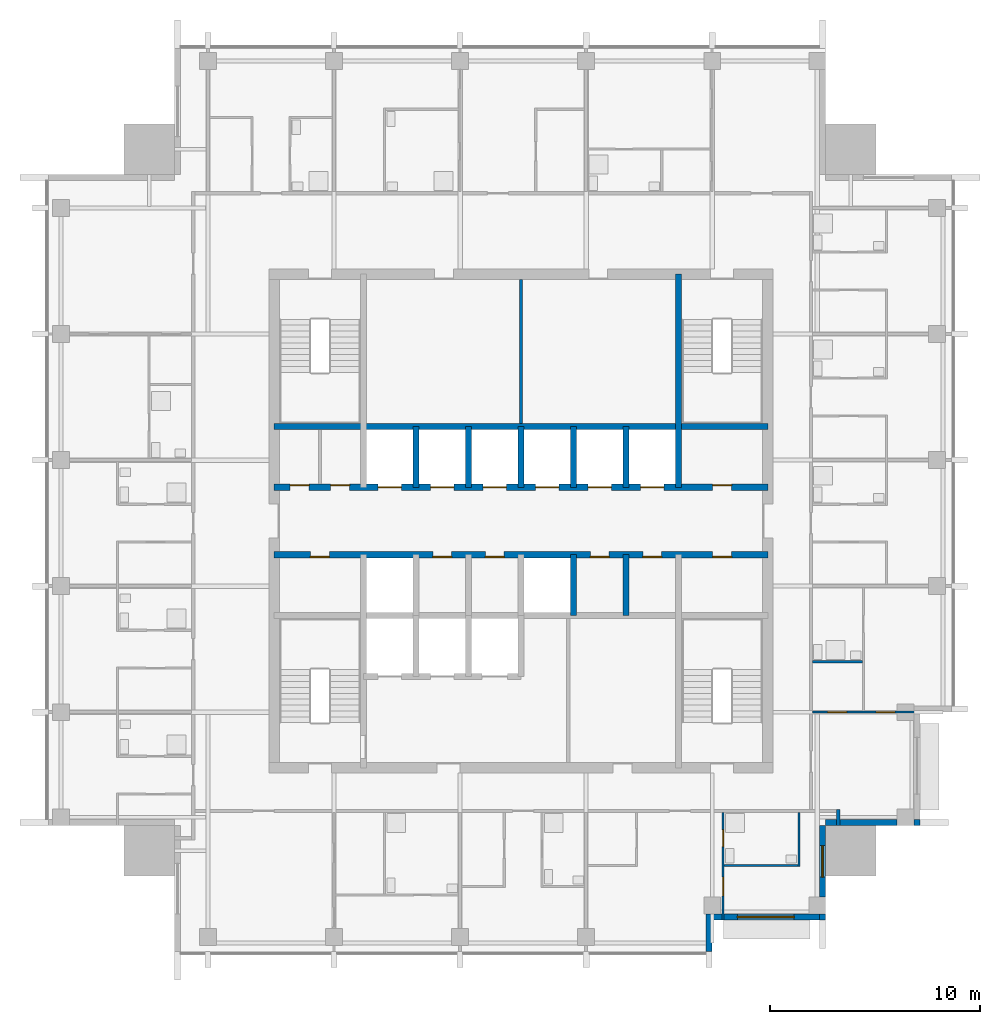
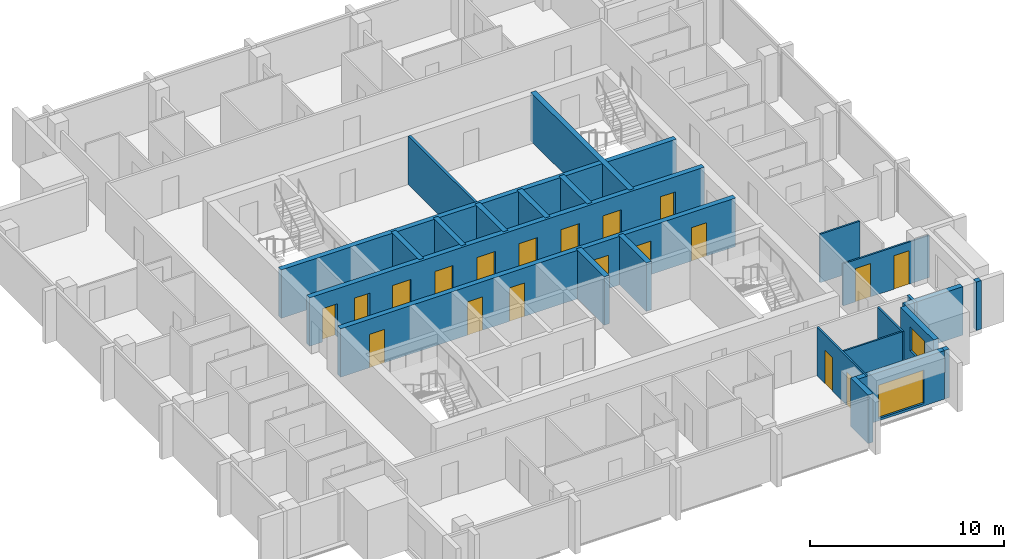
# One storey, part 5 of 9: 24 walls, 19 doors, 2 windows, 21 openings.
"""IFC4 building model written with IfcOpenShell, lengths in metres."""

from ifc_helpers import new_model, si_unit, direction, frame, frame_2d, origin, place, context, subcontext, project, spatial, rectangle, extrude, material, layer, layer_set, type_object, element, fill, save


model = new_model("IFC4")

# Units and contexts
model_context = context("Model", 3, precision=1e-05, world=origin(), true_north=direction((0.0, 1.0)))
body_context = subcontext(model_context, "Body", "Model", "MODEL_VIEW")
ifc_project = project(units=[si_unit("LENGTHUNIT", "METRE"), si_unit("AREAUNIT", "SQUARE_METRE"), si_unit("VOLUMEUNIT", "CUBIC_METRE"), si_unit("PLANEANGLEUNIT", "RADIAN"), si_unit("MASSUNIT", "GRAM", prefix="KILO")], contexts=[model_context])

# Site, building, storey
site_placement = place(None, origin())
site = spatial("IfcSite", under=ifc_project, at=site_placement, CompositionType="ELEMENT")
building_placement = place(site_placement, origin())
building = spatial("IfcBuilding", under=site, at=building_placement, Name="Amberfall Residences", CompositionType="ELEMENT")
storey_placement = place(building_placement, frame((0.0, 0.0, 245.5)))
storey = spatial("IfcBuildingStorey", under=building, at=storey_placement, Name="L65", CompositionType="ELEMENT", Elevation=245.5)

# Walls
ifc_material_1 = material(Name="Pale stone cladding on insulated backing", Category="masonry")
ifc_layer_1 = layer(ifc_material_1, 0.300048828125)
ifc_layer_set_1 = layer_set([ifc_layer_1], Name="Bronze clad wall 300")
wall_type_1 = type_object("IfcWallType", Name="Bronze clad wall 300", PredefinedType="SOLIDWALL", material=ifc_layer_set_1)
wall_1_placement = place(storey_placement, frame((83.449951171875, 25.0, 0.0), z_axis=(0.0, 0.0, 1.0), x_axis=(0.0, 1.0, 0.0)))
element("IfcWall", 1, at=wall_1_placement, inside=storey, type_object=wall_type_1, Name="External wall L65 S", PredefinedType="SOLIDWALL", context=body_context, shape_type="SweptSolid", body=[
    extrude(rectangle(XDim=1.800048828125, YDim=0.300048828125, at=frame_2d((0.89990234375, 0.0))), origin(), (0.0, 0.0, 1.0), 3.050048828125),
])
wall_2_placement = place(storey_placement, frame((88.85009765625, 26.5, 0.0), z_axis=(0.0, 0.0, 1.0), x_axis=(0.0, 1.0, 0.0)))
element("IfcWall", 2, at=wall_2_placement, inside=storey, type_object=wall_type_1, Name="External wall L65 SE", PredefinedType="SOLIDWALL", context=body_context, shape_type="SweptSolid", body=[
    extrude(rectangle(XDim=0.300048828125, YDim=0.300048828125, at=frame_2d((0.14990234375, 0.0))), origin(), (0.0, 0.0, 1.0), 3.050048828125),
])

# Wall, opening, window
wall_3_placement = place(storey_placement, frame((88.85009765625, 27.60009765625, 0.0), z_axis=(0.0, 0.0, 1.0), x_axis=(0.0, 1.0, 0.0)))
wall_3 = element("IfcWall", 3, at=wall_3_placement, inside=storey, type_object=wall_type_1, Name="External wall L65 SE", PredefinedType="SOLIDWALL", context=body_context, shape_type="SweptSolid", body=[
    extrude(rectangle(XDim=3.39990234375, YDim=0.300048828125, at=frame_2d((1.699951171875, 0.0))), origin(), (0.0, 0.0, 1.0), 3.050048828125),
])
opening_1_placement = place(wall_3_placement, frame((0.949951171875, 0.0, 0.89990234375)))
opening_1 = element("IfcOpeningElement", 4, at=opening_1_placement, cuts=wall_3, Name="Opening WN1", PredefinedType="OPENING", context=body_context, shape_type="SweptSolid", body=[
    extrude(rectangle(XDim=1.5, YDim=1.5, at=frame_2d((0.75, 0.75))), frame((0.0, 0.159912109375, 0.0), z_axis=(0.0, -1.0, 0.0), x_axis=(1.0, 0.0, 0.0)), (0.0, 0.0, 1.0), 0.320068359375),
])
ifc_material_2 = material(Name="Bronze aluminium framed glazing", Category="aluminium")
window_type_1 = type_object("IfcWindowType", Name="Window 1500 x 1500 bronze", PartitioningType="DOUBLE_PANEL_VERTICAL", PredefinedType="WINDOW", material=ifc_material_2)
window_1_placement = place(opening_1_placement, origin())
window_1 = element("IfcWindow", 5, at=window_1_placement, inside=storey, type_object=window_type_1, Name="Window L65 SE", OverallHeight=1.5, OverallWidth=1.5, PartitioningType="DOUBLE_PANEL_VERTICAL", PredefinedType="WINDOW", context=body_context, shape_type="SweptSolid", body=[
    extrude(rectangle(XDim=1.5, YDim=1.5, at=frame_2d((0.75, 0.75))), frame((0.0, 0.030029296875, 0.0), z_axis=(0.0, -1.0, 0.0), x_axis=(1.0, 0.0, 0.0)), (0.0, 0.0, 1.0), 0.06005859375),
])
fill(opening_1, window_1)

# Walls
wall_4_placement = place(storey_placement, frame((89.0, 31.14990234375, 0.0), z_axis=(0.0, 0.0, 1.0), x_axis=(1.0, 0.0, 0.0)))
element("IfcWall", 6, at=wall_4_placement, inside=storey, type_object=wall_type_1, Name="External wall L65 SE", PredefinedType="SOLIDWALL", context=body_context, shape_type="SweptSolid", body=[
    extrude(rectangle(XDim=3.39990234375, YDim=0.300048828125, at=frame_2d((1.699951171875, 0.0))), origin(), (0.0, 0.0, 1.0), 3.050048828125),
])
wall_5_placement = place(storey_placement, frame((93.199951171875, 31.14990234375, 0.0), z_axis=(0.0, 0.0, 1.0), x_axis=(1.0, 0.0, 0.0)))
element("IfcWall", 7, at=wall_5_placement, inside=storey, type_object=wall_type_1, Name="External wall L65 SE", PredefinedType="SOLIDWALL", context=body_context, shape_type="SweptSolid", body=[
    extrude(rectangle(XDim=0.300048828125, YDim=0.300048828125, at=frame_2d((0.14990234375, 0.0))), origin(), (0.0, 0.0, 1.0), 3.050048828125),
])

# Wall, opening, window
wall_6_placement = place(storey_placement, frame((83.60009765625, 26.64990234375, 0.0), z_axis=(0.0, 0.0, 1.0), x_axis=(1.0, 0.0, 0.0)))
wall_6 = element("IfcWall", 8, at=wall_6_placement, inside=storey, type_object=wall_type_1, Name="Stone wall L65 S", PredefinedType="SOLIDWALL", context=body_context, shape_type="SweptSolid", body=[
    extrude(rectangle(XDim=5.099853515625, YDim=0.300048828125, at=frame_2d((2.5498046875, 0.0))), origin(), (0.0, 0.0, 1.0), 3.050048828125),
])
opening_2_placement = place(wall_6_placement, frame((1.199951171875, 0.0, 0.14990234375)))
opening_2 = element("IfcOpeningElement", 9, at=opening_2_placement, cuts=wall_6, Name="Opening WN4", PredefinedType="OPENING", context=body_context, shape_type="SweptSolid", body=[
    extrude(rectangle(XDim=2.699951171875, YDim=2.10009765625, at=frame_2d((1.35009765625, 1.050048828125))), frame((0.0, 0.159912109375, 0.0), z_axis=(0.0, -1.0, 0.0), x_axis=(1.0, 0.0, 0.0)), (0.0, 0.0, 1.0), 0.320068359375),
])
window_type_2 = type_object("IfcWindowType", Name="Glazed opening 2700 x 2100 bronze", PartitioningType="DOUBLE_PANEL_VERTICAL", PredefinedType="WINDOW", material=ifc_material_2)
window_2_placement = place(opening_2_placement, origin())
window_2 = element("IfcWindow", 10, at=window_2_placement, inside=storey, type_object=window_type_2, Name="Window L65 S", OverallHeight=2.10009765625, OverallWidth=2.699951171875, PartitioningType="DOUBLE_PANEL_VERTICAL", PredefinedType="WINDOW", context=body_context, shape_type="SweptSolid", body=[
    extrude(rectangle(XDim=2.699951171875, YDim=2.10009765625, at=frame_2d((1.35009765625, 1.050048828125))), frame((0.0, 0.030029296875, 0.0), z_axis=(0.0, -1.0, 0.0), x_axis=(1.0, 0.0, 0.0)), (0.0, 0.0, 1.0), 0.06005859375),
])
fill(opening_2, window_2)

# Wall, openings, doors
ifc_material_3 = material(Name="Concrete C50", Category="concrete")
ifc_layer_2 = layer(ifc_material_3, 0.300048828125)
ifc_layer_set_2 = layer_set([ifc_layer_2], Name="Core wall 300 C50")
wall_type_2 = type_object("IfcWallType", Name="Core wall 300 C50", PredefinedType="SHEAR", material=ifc_layer_set_2)
wall_7_placement = place(storey_placement, frame((62.75, 43.89990234375, 0.0), z_axis=(0.0, 0.0, 1.0), x_axis=(1.0, 0.0, 0.0)))
wall_7 = element("IfcWall", 11, at=wall_7_placement, inside=storey, type_object=wall_type_2, Name="Core wall RW10 L65 H104", PredefinedType="SHEAR", context=body_context, shape_type="SweptSolid", body=[
    extrude(rectangle(XDim=23.5, YDim=0.300048828125, at=frame_2d((11.75, 0.0))), origin(), (0.0, 0.0, 1.0), 3.050048828125),
])
opening_3_placement = place(wall_7_placement, frame((1.72509765625, 0.0, 0.0)))
opening_3 = element("IfcOpeningElement", 12, at=opening_3_placement, cuts=wall_7, Name="Opening RD1", PredefinedType="OPENING", context=body_context, shape_type="SweptSolid", body=[
    extrude(rectangle(XDim=0.89990234375, YDim=2.10009765625, at=frame_2d((0.449951171875, 1.050048828125))), frame((0.0, 0.159912109375, 0.0), z_axis=(0.0, -1.0, 0.0), x_axis=(1.0, 0.0, 0.0)), (0.0, 0.0, 1.0), 0.320068359375),
])
opening_4_placement = place(wall_7_placement, frame((20.875, 0.0, 0.0)))
opening_4 = element("IfcOpeningElement", 13, at=opening_4_placement, cuts=wall_7, Name="Opening RD1", PredefinedType="OPENING", context=body_context, shape_type="SweptSolid", body=[
    extrude(rectangle(XDim=0.89990234375, YDim=2.10009765625, at=frame_2d((0.449951171875, 1.050048828125))), frame((0.0, 0.159912109375, 0.0), z_axis=(0.0, -1.0, 0.0), x_axis=(1.0, 0.0, 0.0)), (0.0, 0.0, 1.0), 0.320068359375),
])
opening_5_placement = place(wall_7_placement, frame((7.550048828125, 0.0, 0.0)))
opening_5 = element("IfcOpeningElement", 14, at=opening_5_placement, cuts=wall_7, Name="Opening RD1", PredefinedType="OPENING", context=body_context, shape_type="SweptSolid", body=[
    extrude(rectangle(XDim=0.89990234375, YDim=2.10009765625, at=frame_2d((0.449951171875, 1.050048828125))), frame((0.0, 0.159912109375, 0.0), z_axis=(0.0, -1.0, 0.0), x_axis=(1.0, 0.0, 0.0)), (0.0, 0.0, 1.0), 0.320068359375),
])
opening_6_placement = place(wall_7_placement, frame((10.050048828125, 0.0, 0.0)))
opening_6 = element("IfcOpeningElement", 15, at=opening_6_placement, cuts=wall_7, Name="Opening RD1", PredefinedType="OPENING", context=body_context, shape_type="SweptSolid", body=[
    extrude(rectangle(XDim=0.89990234375, YDim=2.10009765625, at=frame_2d((0.449951171875, 1.050048828125))), frame((0.0, 0.159912109375, 0.0), z_axis=(0.0, -1.0, 0.0), x_axis=(1.0, 0.0, 0.0)), (0.0, 0.0, 1.0), 0.320068359375),
])
opening_7_placement = place(wall_7_placement, frame((15.050048828125, 0.0, 0.0)))
opening_7 = element("IfcOpeningElement", 16, at=opening_7_placement, cuts=wall_7, Name="Opening RD1", PredefinedType="OPENING", context=body_context, shape_type="SweptSolid", body=[
    extrude(rectangle(XDim=0.89990234375, YDim=2.10009765625, at=frame_2d((0.449951171875, 1.050048828125))), frame((0.0, 0.159912109375, 0.0), z_axis=(0.0, -1.0, 0.0), x_axis=(1.0, 0.0, 0.0)), (0.0, 0.0, 1.0), 0.320068359375),
])
opening_8_placement = place(wall_7_placement, frame((17.550048828125, 0.0, 0.0)))
opening_8 = element("IfcOpeningElement", 17, at=opening_8_placement, cuts=wall_7, Name="Opening RD1", PredefinedType="OPENING", context=body_context, shape_type="SweptSolid", body=[
    extrude(rectangle(XDim=0.89990234375, YDim=2.10009765625, at=frame_2d((0.449951171875, 1.050048828125))), frame((0.0, 0.159912109375, 0.0), z_axis=(0.0, -1.0, 0.0), x_axis=(1.0, 0.0, 0.0)), (0.0, 0.0, 1.0), 0.320068359375),
])
ifc_material_4 = material(Name="Steel fire door set", Category="steel")
door_type_1 = type_object("IfcDoorType", Name="Service room door 900 x 2100", OperationType="SINGLE_SWING_LEFT", PredefinedType="DOOR", material=ifc_material_4)
door_1_placement = place(opening_3_placement, origin())
door_1 = element("IfcDoor", 18, at=door_1_placement, inside=storey, type_object=door_type_1, Name="RD1 L65", OperationType="SINGLE_SWING_LEFT", OverallHeight=2.10009765625, OverallWidth=0.89990234375, PredefinedType="DOOR", context=body_context, shape_type="SweptSolid", body=[
    extrude(rectangle(XDim=0.89990234375, YDim=2.10009765625, at=frame_2d((0.449951171875, 1.050048828125))), frame((0.0, -0.08740234375, 0.0), z_axis=(0.0, -1.0, 0.0), x_axis=(1.0, 0.0, 0.0)), (0.0, 0.0, 1.0), 0.050048828125),
])
fill(opening_3, door_1)
door_2_placement = place(opening_4_placement, origin())
door_2 = element("IfcDoor", 19, at=door_2_placement, inside=storey, type_object=door_type_1, Name="RD1 L65", OperationType="SINGLE_SWING_LEFT", OverallHeight=2.10009765625, OverallWidth=0.89990234375, PredefinedType="DOOR", context=body_context, shape_type="SweptSolid", body=[
    extrude(rectangle(XDim=0.89990234375, YDim=2.10009765625, at=frame_2d((0.449951171875, 1.050048828125))), frame((0.0, -0.08740234375, 0.0), z_axis=(0.0, -1.0, 0.0), x_axis=(1.0, 0.0, 0.0)), (0.0, 0.0, 1.0), 0.050048828125),
])
fill(opening_4, door_2)
door_3_placement = place(opening_5_placement, origin())
door_3 = element("IfcDoor", 20, at=door_3_placement, inside=storey, type_object=door_type_1, Name="RD1 L65", OperationType="SINGLE_SWING_LEFT", OverallHeight=2.10009765625, OverallWidth=0.89990234375, PredefinedType="DOOR", context=body_context, shape_type="SweptSolid", body=[
    extrude(rectangle(XDim=0.89990234375, YDim=2.10009765625, at=frame_2d((0.449951171875, 1.050048828125))), frame((0.0, -0.08740234375, 0.0), z_axis=(0.0, -1.0, 0.0), x_axis=(1.0, 0.0, 0.0)), (0.0, 0.0, 1.0), 0.050048828125),
])
fill(opening_5, door_3)
door_4_placement = place(opening_6_placement, origin())
door_4 = element("IfcDoor", 21, at=door_4_placement, inside=storey, type_object=door_type_1, Name="RD1 L65", OperationType="SINGLE_SWING_RIGHT", OverallHeight=2.10009765625, OverallWidth=0.89990234375, PredefinedType="DOOR", context=body_context, shape_type="SweptSolid", body=[
    extrude(rectangle(XDim=0.89990234375, YDim=2.10009765625, at=frame_2d((0.449951171875, 1.050048828125))), frame((0.0, -0.08740234375, 0.0), z_axis=(0.0, -1.0, 0.0), x_axis=(1.0, 0.0, 0.0)), (0.0, 0.0, 1.0), 0.050048828125),
])
fill(opening_6, door_4)
door_5_placement = place(opening_7_placement, origin())
door_5 = element("IfcDoor", 22, at=door_5_placement, inside=storey, type_object=door_type_1, Name="RD1 L65", OperationType="SINGLE_SWING_RIGHT", OverallHeight=2.10009765625, OverallWidth=0.89990234375, PredefinedType="DOOR", context=body_context, shape_type="SweptSolid", body=[
    extrude(rectangle(XDim=0.89990234375, YDim=2.10009765625, at=frame_2d((0.449951171875, 1.050048828125))), frame((0.0, -0.08740234375, 0.0), z_axis=(0.0, -1.0, 0.0), x_axis=(1.0, 0.0, 0.0)), (0.0, 0.0, 1.0), 0.050048828125),
])
fill(opening_7, door_5)
door_6_placement = place(opening_8_placement, origin())
door_6 = element("IfcDoor", 23, at=door_6_placement, inside=storey, type_object=door_type_1, Name="RD1 L65", OperationType="SINGLE_SWING_LEFT", OverallHeight=2.10009765625, OverallWidth=0.89990234375, PredefinedType="DOOR", context=body_context, shape_type="SweptSolid", body=[
    extrude(rectangle(XDim=0.89990234375, YDim=2.10009765625, at=frame_2d((0.449951171875, 1.050048828125))), frame((0.0, -0.08740234375, 0.0), z_axis=(0.0, -1.0, 0.0), x_axis=(1.0, 0.0, 0.0)), (0.0, 0.0, 1.0), 0.050048828125),
])
fill(opening_8, door_6)

wall_8_placement = place(storey_placement, frame((62.75, 47.10009765625, 0.0), z_axis=(0.0, 0.0, 1.0), x_axis=(1.0, 0.0, 0.0)))
wall_8 = element("IfcWall", 24, at=wall_8_placement, inside=storey, type_object=wall_type_2, Name="Core wall RW10 L65 H136", PredefinedType="SHEAR", context=body_context, shape_type="SweptSolid", body=[
    extrude(rectangle(XDim=23.5, YDim=0.300048828125, at=frame_2d((11.75, 0.0))), origin(), (0.0, 0.0, 1.0), 3.050048828125),
])
opening_9_placement = place(wall_8_placement, frame((0.762451171875, 0.0, 0.0)))
opening_9 = element("IfcOpeningElement", 25, at=opening_9_placement, cuts=wall_8, Name="Opening RD1", PredefinedType="OPENING", context=body_context, shape_type="SweptSolid", body=[
    extrude(rectangle(XDim=0.89990234375, YDim=2.10009765625, at=frame_2d((0.449951171875, 1.050048828125))), frame((0.0, 0.159912109375, 0.0), z_axis=(0.0, -1.0, 0.0), x_axis=(1.0, 0.0, 0.0)), (0.0, 0.0, 1.0), 0.320068359375),
])
opening_10_placement = place(wall_8_placement, frame((2.6875, 0.0, 0.0)))
opening_10 = element("IfcOpeningElement", 26, at=opening_10_placement, cuts=wall_8, Name="Opening RD1", PredefinedType="OPENING", context=body_context, shape_type="SweptSolid", body=[
    extrude(rectangle(XDim=0.89990234375, YDim=2.10009765625, at=frame_2d((0.449951171875, 1.050048828125))), frame((0.0, 0.159912109375, 0.0), z_axis=(0.0, -1.0, 0.0), x_axis=(1.0, 0.0, 0.0)), (0.0, 0.0, 1.0), 0.320068359375),
])
opening_11_placement = place(wall_8_placement, frame((20.875, 0.0, 0.0)))
opening_11 = element("IfcOpeningElement", 27, at=opening_11_placement, cuts=wall_8, Name="Opening RD1", PredefinedType="OPENING", context=body_context, shape_type="SweptSolid", body=[
    extrude(rectangle(XDim=0.89990234375, YDim=2.10009765625, at=frame_2d((0.449951171875, 1.050048828125))), frame((0.0, 0.159912109375, 0.0), z_axis=(0.0, -1.0, 0.0), x_axis=(1.0, 0.0, 0.0)), (0.0, 0.0, 1.0), 0.320068359375),
])
opening_12_placement = place(wall_8_placement, frame((4.949951171875, 0.0, 0.0)))
opening_12 = element("IfcOpeningElement", 28, at=opening_12_placement, cuts=wall_8, Name="Opening LD1", PredefinedType="OPENING", context=body_context, shape_type="SweptSolid", body=[
    extrude(rectangle(XDim=1.10009765625, YDim=2.10009765625, at=frame_2d((0.550048828125, 1.050048828125))), frame((0.0, 0.159912109375, 0.0), z_axis=(0.0, -1.0, 0.0), x_axis=(1.0, 0.0, 0.0)), (0.0, 0.0, 1.0), 0.320068359375),
])
opening_13_placement = place(wall_8_placement, frame((7.449951171875, 0.0, 0.0)))
opening_13 = element("IfcOpeningElement", 29, at=opening_13_placement, cuts=wall_8, Name="Opening LD1", PredefinedType="OPENING", context=body_context, shape_type="SweptSolid", body=[
    extrude(rectangle(XDim=1.10009765625, YDim=2.10009765625, at=frame_2d((0.550048828125, 1.050048828125))), frame((0.0, 0.159912109375, 0.0), z_axis=(0.0, -1.0, 0.0), x_axis=(1.0, 0.0, 0.0)), (0.0, 0.0, 1.0), 0.320068359375),
])
opening_14_placement = place(wall_8_placement, frame((9.949951171875, 0.0, 0.0)))
opening_14 = element("IfcOpeningElement", 30, at=opening_14_placement, cuts=wall_8, Name="Opening LD1", PredefinedType="OPENING", context=body_context, shape_type="SweptSolid", body=[
    extrude(rectangle(XDim=1.10009765625, YDim=2.10009765625, at=frame_2d((0.550048828125, 1.050048828125))), frame((0.0, 0.159912109375, 0.0), z_axis=(0.0, -1.0, 0.0), x_axis=(1.0, 0.0, 0.0)), (0.0, 0.0, 1.0), 0.320068359375),
])
opening_15_placement = place(wall_8_placement, frame((12.449951171875, 0.0, 0.0)))
opening_15 = element("IfcOpeningElement", 31, at=opening_15_placement, cuts=wall_8, Name="Opening LD1", PredefinedType="OPENING", context=body_context, shape_type="SweptSolid", body=[
    extrude(rectangle(XDim=1.10009765625, YDim=2.10009765625, at=frame_2d((0.550048828125, 1.050048828125))), frame((0.0, 0.159912109375, 0.0), z_axis=(0.0, -1.0, 0.0), x_axis=(1.0, 0.0, 0.0)), (0.0, 0.0, 1.0), 0.320068359375),
])
opening_16_placement = place(wall_8_placement, frame((14.949951171875, 0.0, 0.0)))
opening_16 = element("IfcOpeningElement", 32, at=opening_16_placement, cuts=wall_8, Name="Opening LD1", PredefinedType="OPENING", context=body_context, shape_type="SweptSolid", body=[
    extrude(rectangle(XDim=1.10009765625, YDim=2.10009765625, at=frame_2d((0.550048828125, 1.050048828125))), frame((0.0, 0.159912109375, 0.0), z_axis=(0.0, -1.0, 0.0), x_axis=(1.0, 0.0, 0.0)), (0.0, 0.0, 1.0), 0.320068359375),
])
opening_17_placement = place(wall_8_placement, frame((17.449951171875, 0.0, 0.0)))
opening_17 = element("IfcOpeningElement", 33, at=opening_17_placement, cuts=wall_8, Name="Opening LD1", PredefinedType="OPENING", context=body_context, shape_type="SweptSolid", body=[
    extrude(rectangle(XDim=1.10009765625, YDim=2.10009765625, at=frame_2d((0.550048828125, 1.050048828125))), frame((0.0, 0.159912109375, 0.0), z_axis=(0.0, -1.0, 0.0), x_axis=(1.0, 0.0, 0.0)), (0.0, 0.0, 1.0), 0.320068359375),
])
door_type_2 = type_object("IfcDoorType", Name="Lift landing door 1100 x 2100", OperationType="DOUBLE_DOOR_SLIDING", PredefinedType="DOOR", material=ifc_material_4)
door_7_placement = place(opening_12_placement, origin())
door_7 = element("IfcDoor", 34, at=door_7_placement, inside=storey, type_object=door_type_2, Name="Landing door HP1 L65", OperationType="DOUBLE_DOOR_SLIDING", OverallHeight=2.10009765625, OverallWidth=1.10009765625, PredefinedType="DOOR", context=body_context, shape_type="SweptSolid", body=[
    extrude(rectangle(XDim=1.10009765625, YDim=2.10009765625, at=frame_2d((0.550048828125, 1.050048828125))), frame((0.0, 0.02490234375, 0.0), z_axis=(0.0, -1.0, 0.0), x_axis=(1.0, 0.0, 0.0)), (0.0, 0.0, 1.0), 0.050048828125),
])
fill(opening_12, door_7)
door_8_placement = place(opening_13_placement, origin())
door_8 = element("IfcDoor", 35, at=door_8_placement, inside=storey, type_object=door_type_2, Name="Landing door HP2 L65", OperationType="DOUBLE_DOOR_SLIDING", OverallHeight=2.10009765625, OverallWidth=1.10009765625, PredefinedType="DOOR", context=body_context, shape_type="SweptSolid", body=[
    extrude(rectangle(XDim=1.10009765625, YDim=2.10009765625, at=frame_2d((0.550048828125, 1.050048828125))), frame((0.0, 0.02490234375, 0.0), z_axis=(0.0, -1.0, 0.0), x_axis=(1.0, 0.0, 0.0)), (0.0, 0.0, 1.0), 0.050048828125),
])
fill(opening_13, door_8)
door_9_placement = place(opening_14_placement, origin())
door_9 = element("IfcDoor", 36, at=door_9_placement, inside=storey, type_object=door_type_2, Name="Landing door HP3 L65", OperationType="DOUBLE_DOOR_SLIDING", OverallHeight=2.10009765625, OverallWidth=1.10009765625, PredefinedType="DOOR", context=body_context, shape_type="SweptSolid", body=[
    extrude(rectangle(XDim=1.10009765625, YDim=2.10009765625, at=frame_2d((0.550048828125, 1.050048828125))), frame((0.0, 0.02490234375, 0.0), z_axis=(0.0, -1.0, 0.0), x_axis=(1.0, 0.0, 0.0)), (0.0, 0.0, 1.0), 0.050048828125),
])
fill(opening_14, door_9)
door_10_placement = place(opening_15_placement, origin())
door_10 = element("IfcDoor", 37, at=door_10_placement, inside=storey, type_object=door_type_2, Name="Landing door HP4 L65", OperationType="DOUBLE_DOOR_SLIDING", OverallHeight=2.10009765625, OverallWidth=1.10009765625, PredefinedType="DOOR", context=body_context, shape_type="SweptSolid", body=[
    extrude(rectangle(XDim=1.10009765625, YDim=2.10009765625, at=frame_2d((0.550048828125, 1.050048828125))), frame((0.0, 0.02490234375, 0.0), z_axis=(0.0, -1.0, 0.0), x_axis=(1.0, 0.0, 0.0)), (0.0, 0.0, 1.0), 0.050048828125),
])
fill(opening_15, door_10)
door_11_placement = place(opening_16_placement, origin())
door_11 = element("IfcDoor", 38, at=door_11_placement, inside=storey, type_object=door_type_2, Name="Landing door HP5 L65", OperationType="DOUBLE_DOOR_SLIDING", OverallHeight=2.10009765625, OverallWidth=1.10009765625, PredefinedType="DOOR", context=body_context, shape_type="SweptSolid", body=[
    extrude(rectangle(XDim=1.10009765625, YDim=2.10009765625, at=frame_2d((0.550048828125, 1.050048828125))), frame((0.0, 0.02490234375, 0.0), z_axis=(0.0, -1.0, 0.0), x_axis=(1.0, 0.0, 0.0)), (0.0, 0.0, 1.0), 0.050048828125),
])
fill(opening_16, door_11)
door_12_placement = place(opening_17_placement, origin())
door_12 = element("IfcDoor", 39, at=door_12_placement, inside=storey, type_object=door_type_2, Name="Landing door HP6 L65", OperationType="DOUBLE_DOOR_SLIDING", OverallHeight=2.10009765625, OverallWidth=1.10009765625, PredefinedType="DOOR", context=body_context, shape_type="SweptSolid", body=[
    extrude(rectangle(XDim=1.10009765625, YDim=2.10009765625, at=frame_2d((0.550048828125, 1.050048828125))), frame((0.0, 0.02490234375, 0.0), z_axis=(0.0, -1.0, 0.0), x_axis=(1.0, 0.0, 0.0)), (0.0, 0.0, 1.0), 0.050048828125),
])
fill(opening_17, door_12)
door_13_placement = place(opening_9_placement, origin())
door_13 = element("IfcDoor", 40, at=door_13_placement, inside=storey, type_object=door_type_1, Name="RD1 L65", OperationType="SINGLE_SWING_LEFT", OverallHeight=2.10009765625, OverallWidth=0.89990234375, PredefinedType="DOOR", context=body_context, shape_type="SweptSolid", body=[
    extrude(rectangle(XDim=0.89990234375, YDim=2.10009765625, at=frame_2d((0.449951171875, 1.050048828125))), frame((0.0, 0.1376953125, 0.0), z_axis=(0.0, -1.0, 0.0), x_axis=(1.0, 0.0, 0.0)), (0.0, 0.0, 1.0), 0.050048828125),
])
fill(opening_9, door_13)
door_14_placement = place(opening_10_placement, origin())
door_14 = element("IfcDoor", 41, at=door_14_placement, inside=storey, type_object=door_type_1, Name="RD1 L65", OperationType="SINGLE_SWING_RIGHT", OverallHeight=2.10009765625, OverallWidth=0.89990234375, PredefinedType="DOOR", context=body_context, shape_type="SweptSolid", body=[
    extrude(rectangle(XDim=0.89990234375, YDim=2.10009765625, at=frame_2d((0.449951171875, 1.050048828125))), frame((0.0, 0.1376953125, 0.0), z_axis=(0.0, -1.0, 0.0), x_axis=(1.0, 0.0, 0.0)), (0.0, 0.0, 1.0), 0.050048828125),
])
fill(opening_10, door_14)
door_15_placement = place(opening_11_placement, origin())
door_15 = element("IfcDoor", 42, at=door_15_placement, inside=storey, type_object=door_type_1, Name="RD1 L65", OperationType="SINGLE_SWING_LEFT", OverallHeight=2.10009765625, OverallWidth=0.89990234375, PredefinedType="DOOR", context=body_context, shape_type="SweptSolid", body=[
    extrude(rectangle(XDim=0.89990234375, YDim=2.10009765625, at=frame_2d((0.449951171875, 1.050048828125))), frame((0.0, 0.1376953125, 0.0), z_axis=(0.0, -1.0, 0.0), x_axis=(1.0, 0.0, 0.0)), (0.0, 0.0, 1.0), 0.050048828125),
])
fill(opening_11, door_15)

# Walls
wall_9_placement = place(storey_placement, frame((62.75, 50.0, 0.0), z_axis=(0.0, 0.0, 1.0), x_axis=(1.0, 0.0, 0.0)))
element("IfcWall", 43, at=wall_9_placement, inside=storey, type_object=wall_type_2, Name="Core wall RW10 L65 H165", PredefinedType="SHEAR", context=body_context, shape_type="SweptSolid", body=[
    extrude(rectangle(XDim=23.5, YDim=0.300048828125, at=frame_2d((11.75, 0.0))), origin(), (0.0, 0.0, 1.0), 3.050048828125),
])
wall_10_placement = place(storey_placement, frame((82.0, 47.10009765625, 0.0), z_axis=(0.0, 0.0, 1.0), x_axis=(0.0, 1.0, 0.0)))
element("IfcWall", 44, at=wall_10_placement, inside=storey, type_object=wall_type_2, Name="Core wall RW10 L65 V195N", PredefinedType="SHEAR", context=body_context, shape_type="SweptSolid", body=[
    extrude(rectangle(XDim=10.14990234375, YDim=0.300048828125, at=frame_2d((5.074951171875, 0.0))), origin(), (0.0, 0.0, 1.0), 3.050048828125),
])
for number, where, z_axis, x_axis, name in (
    (45, (69.5, 47.10009765625, 0.0), (0.0, 0.0, 1.0), (0.0, 1.0, 0.0), "Core wall RW10 L65 HPD1"),
    (46, (72.0, 47.10009765625, 0.0), (0.0, 0.0, 1.0), (0.0, 1.0, 0.0), "Core wall RW10 L65 HPD2"),
    (47, (74.5, 47.10009765625, 0.0), (0.0, 0.0, 1.0), (0.0, 1.0, 0.0), "Core wall RW10 L65 HPD3"),
    (48, (77.0, 41.0, 0.0), (0.0, 0.0, 1.0), (0.0, 1.0, 0.0), "Core wall RW10 L65 LPD4"),
    (49, (77.0, 47.10009765625, 0.0), (0.0, 0.0, 1.0), (0.0, 1.0, 0.0), "Core wall RW10 L65 HPD4"),
    (50, (79.5, 41.0, 0.0), (0.0, 0.0, 1.0), (0.0, 1.0, 0.0), "Core wall RW10 L65 LPD5"),
    (51, (79.5, 47.10009765625, 0.0), (0.0, 0.0, 1.0), (0.0, 1.0, 0.0), "Core wall RW10 L65 HPD5"),
):
    element("IfcWall", number, at=place(storey_placement, frame(where, z_axis=z_axis, x_axis=x_axis)), inside=storey, type_object=wall_type_2, Name=name, PredefinedType="SHEAR", context=body_context, shape_type="SweptSolid", body=[
        extrude(rectangle(XDim=2.89990234375, YDim=0.300048828125, at=frame_2d((1.449951171875, 0.0))), origin(), (0.0, 0.0, 1.0), 3.050048828125),
    ])

# Wall, openings, doors
ifc_material_5 = material(Name="Gypsum board on metal stud")
ifc_layer_3 = layer(ifc_material_5, 0.10009765625)
ifc_layer_set_3 = layer_set([ifc_layer_3], Name="Flat partition 100")
wall_type_3 = type_object("IfcWallType", Name="Flat partition 100", PredefinedType="PARTITIONING", material=ifc_layer_set_3)
wall_11_placement = place(storey_placement, frame((84.125, 31.625, 0.0), z_axis=(0.0, 0.0, 1.0), x_axis=(0.0, -1.0, 0.0)))
wall_11 = element("IfcWall", 52, at=wall_11_placement, inside=storey, type_object=wall_type_3, Name="Partition 018", PredefinedType="PARTITIONING", context=body_context, shape_type="SweptSolid", body=[
    extrude(rectangle(XDim=5.125, YDim=0.10009765625, at=frame_2d((2.5625, 0.0))), origin(), (0.0, 0.0, 1.0), 3.050048828125),
])
opening_18_placement = place(wall_11_placement, frame((3.074951171875, 0.0, 0.0)))
opening_18 = element("IfcOpeningElement", 53, at=opening_18_placement, cuts=wall_11, Name="Opening D41", PredefinedType="OPENING", context=body_context, shape_type="SweptSolid", body=[
    extrude(rectangle(XDim=0.89990234375, YDim=2.10009765625, at=frame_2d((0.449951171875, 1.050048828125))), frame((0.0, 0.06005859375, 0.0), z_axis=(0.0, -1.0, 0.0), x_axis=(1.0, 0.0, 0.0)), (0.0, 0.0, 1.0), 0.1201171875),
])
opening_19_placement = place(wall_11_placement, frame((0.824951171875, 0.0, 0.0)))
opening_19 = element("IfcOpeningElement", 54, at=opening_19_placement, cuts=wall_11, Name="Opening D42", PredefinedType="OPENING", context=body_context, shape_type="SweptSolid", body=[
    extrude(rectangle(XDim=0.800048828125, YDim=2.10009765625, at=frame_2d((0.39990234375, 1.050048828125))), frame((0.0, 0.06005859375, 0.0), z_axis=(0.0, -1.0, 0.0), x_axis=(1.0, 0.0, 0.0)), (0.0, 0.0, 1.0), 0.1201171875),
])
ifc_material_6 = material(Name="Timber", Category="wood")
door_type_3 = type_object("IfcDoorType", Name="Bathroom door 800 x 2100", OperationType="SINGLE_SWING_LEFT", PredefinedType="DOOR", material=ifc_material_6)
door_16_placement = place(opening_19_placement, origin())
door_16 = element("IfcDoor", 55, at=door_16_placement, inside=storey, type_object=door_type_3, Name="Door 6503 bath1", OperationType="SINGLE_SWING_LEFT", OverallHeight=2.10009765625, OverallWidth=0.800048828125, PredefinedType="DOOR", context=body_context, shape_type="SweptSolid", body=[
    extrude(rectangle(XDim=0.800048828125, YDim=2.10009765625, at=frame_2d((0.39990234375, 1.050048828125))), frame((0.0, 0.02490234375, 0.0), z_axis=(0.0, -1.0, 0.0), x_axis=(1.0, 0.0, 0.0)), (0.0, 0.0, 1.0), 0.050048828125),
])
fill(opening_19, door_16)
door_type_4 = type_object("IfcDoorType", Name="Internal door 900 x 2100", OperationType="SINGLE_SWING_LEFT", PredefinedType="DOOR", material=ifc_material_6)
door_17_placement = place(opening_18_placement, origin())
door_17 = element("IfcDoor", 56, at=door_17_placement, inside=storey, type_object=door_type_4, Name="Door 6503 bedroom1", OperationType="SINGLE_SWING_LEFT", OverallHeight=2.10009765625, OverallWidth=0.89990234375, PredefinedType="DOOR", context=body_context, shape_type="SweptSolid", body=[
    extrude(rectangle(XDim=0.89990234375, YDim=2.10009765625, at=frame_2d((0.449951171875, 1.050048828125))), frame((0.0, 0.02490234375, 0.0), z_axis=(0.0, -1.0, 0.0), x_axis=(1.0, 0.0, 0.0)), (0.0, 0.0, 1.0), 0.050048828125),
])
fill(opening_18, door_17)

# Walls
wall_12_placement = place(storey_placement, frame((87.72509765625, 29.050048828125, 0.0), z_axis=(0.0, 0.0, 1.0), x_axis=(0.0, 1.0, 0.0)))
element("IfcWall", 57, at=wall_12_placement, inside=storey, type_object=wall_type_3, Name="Partition 019", PredefinedType="PARTITIONING", context=body_context, shape_type="SweptSolid", body=[
    extrude(rectangle(XDim=2.574951171875, YDim=0.10009765625, at=frame_2d((1.28759765625, 0.0))), origin(), (0.0, 0.0, 1.0), 3.050048828125),
])
wall_13_placement = place(storey_placement, frame((88.375, 38.800048828125, 0.0), z_axis=(0.0, 0.0, 1.0), x_axis=(1.0, 0.0, 0.0)))
element("IfcWall", 58, at=wall_13_placement, inside=storey, type_object=wall_type_3, Name="Partition 041", PredefinedType="PARTITIONING", context=body_context, shape_type="SweptSolid", body=[
    extrude(rectangle(XDim=2.375, YDim=0.10009765625, at=frame_2d((1.1875, 0.0))), origin(), (0.0, 0.0, 1.0), 3.050048828125),
])

# Wall, openings, doors
wall_14_placement = place(storey_placement, frame((88.375, 36.39990234375, 0.0), z_axis=(0.0, 0.0, 1.0), x_axis=(1.0, 0.0, 0.0)))
wall_14 = element("IfcWall", 59, at=wall_14_placement, inside=storey, type_object=wall_type_3, Name="Partition 043", PredefinedType="PARTITIONING", context=body_context, shape_type="SweptSolid", body=[
    extrude(rectangle(XDim=5.125, YDim=0.10009765625, at=frame_2d((2.5625, 0.0))), origin(), (0.0, 0.0, 1.0), 2.64697265625),
])
opening_20_placement = place(wall_14_placement, frame((0.72509765625, 0.0, 0.0)))
opening_20 = element("IfcOpeningElement", 60, at=opening_20_placement, cuts=wall_14, Name="Opening D41", PredefinedType="OPENING", context=body_context, shape_type="SweptSolid", body=[
    extrude(rectangle(XDim=0.89990234375, YDim=2.10009765625, at=frame_2d((0.449951171875, 1.050048828125))), frame((0.0, 0.06005859375, 0.0), z_axis=(0.0, -1.0, 0.0), x_axis=(1.0, 0.0, 0.0)), (0.0, 0.0, 1.0), 0.1201171875),
])
opening_21_placement = place(wall_14_placement, frame((3.02490234375, 0.0, 0.0)))
opening_21 = element("IfcOpeningElement", 61, at=opening_21_placement, cuts=wall_14, Name="Opening D41", PredefinedType="OPENING", context=body_context, shape_type="SweptSolid", body=[
    extrude(rectangle(XDim=0.89990234375, YDim=2.10009765625, at=frame_2d((0.449951171875, 1.050048828125))), frame((0.0, 0.06005859375, 0.0), z_axis=(0.0, -1.0, 0.0), x_axis=(1.0, 0.0, 0.0)), (0.0, 0.0, 1.0), 0.1201171875),
])
door_18_placement = place(opening_20_placement, origin())
door_18 = element("IfcDoor", 62, at=door_18_placement, inside=storey, type_object=door_type_4, Name="Door 6504 kitchen", OperationType="SINGLE_SWING_LEFT", OverallHeight=2.10009765625, OverallWidth=0.89990234375, PredefinedType="DOOR", context=body_context, shape_type="SweptSolid", body=[
    extrude(rectangle(XDim=0.89990234375, YDim=2.10009765625, at=frame_2d((0.449951171875, 1.050048828125))), frame((0.0, 0.02490234375, 0.0), z_axis=(0.0, -1.0, 0.0), x_axis=(1.0, 0.0, 0.0)), (0.0, 0.0, 1.0), 0.050048828125),
])
fill(opening_20, door_18)
door_19_placement = place(opening_21_placement, origin())
door_19 = element("IfcDoor", 63, at=door_19_placement, inside=storey, type_object=door_type_4, Name="Door 6504 bedroom1", OperationType="SINGLE_SWING_LEFT", OverallHeight=2.10009765625, OverallWidth=0.89990234375, PredefinedType="DOOR", context=body_context, shape_type="SweptSolid", body=[
    extrude(rectangle(XDim=0.89990234375, YDim=2.10009765625, at=frame_2d((0.449951171875, 1.050048828125))), frame((0.0, 0.02490234375, 0.0), z_axis=(0.0, -1.0, 0.0), x_axis=(1.0, 0.0, 0.0)), (0.0, 0.0, 1.0), 0.050048828125),
])
fill(opening_21, door_19)

# Walls
wall_15_placement = place(storey_placement, frame((84.175048828125, 29.10009765625, 0.0), z_axis=(0.0, 0.0, 1.0), x_axis=(1.0, 0.0, 0.0)))
element("IfcWall", 64, at=wall_15_placement, inside=storey, type_object=wall_type_3, Name="Partition 047", PredefinedType="PARTITIONING", context=body_context, shape_type="SweptSolid", body=[
    extrude(rectangle(XDim=3.5, YDim=0.10009765625, at=frame_2d((1.75, 0.0))), origin(), (0.0, 0.0, 1.0), 3.050048828125),
])
ifc_material_7 = material(Name="Blockwork, plastered", Category="masonry")
ifc_layer_4 = layer(ifc_material_7, 0.14990234375)
ifc_layer_set_4 = layer_set([ifc_layer_4], Name="Flat separating wall 150")
wall_type_4 = type_object("IfcWallType", Name="Flat separating wall 150", PredefinedType="PARTITIONING", material=ifc_layer_set_4)
wall_16_placement = place(storey_placement, frame((89.60009765625, 31.0, 0.0), z_axis=(0.0, 0.0, 1.0), x_axis=(0.0, 1.0, 0.0)))
element("IfcWall", 65, at=wall_16_placement, inside=storey, type_object=wall_type_4, Name="Separating wall 058", PredefinedType="PARTITIONING", context=body_context, shape_type="SweptSolid", body=[
    extrude(rectangle(XDim=0.77490234375, YDim=0.14990234375, at=frame_2d((0.387451171875, 0.0))), origin(), (0.0, 0.0, 1.0), 3.050048828125),
])
ifc_material_8 = material(Name="Concrete blockwork", Category="masonry")
ifc_layer_5 = layer(ifc_material_8, 0.14990234375)
ifc_layer_set_5 = layer_set([ifc_layer_5], Name="Riser wall 150")
wall_type_5 = type_object("IfcWallType", Name="Riser wall 150", PredefinedType="PLUMBINGWALL", material=ifc_layer_set_5)
wall_17_placement = place(storey_placement, frame((74.5, 50.14990234375, 0.0), z_axis=(0.0, 0.0, 1.0), x_axis=(0.0, 1.0, 0.0)))
element("IfcWall", 66, at=wall_17_placement, inside=storey, type_object=wall_type_5, Name="L65 core wall N0", PredefinedType="PLUMBINGWALL", context=body_context, shape_type="SweptSolid", body=[
    extrude(rectangle(XDim=6.85009765625, YDim=0.14990234375, at=frame_2d((3.425048828125, 0.0))), origin(), (0.0, 0.0, 1.0), 3.050048828125),
])

save(model, "model.ifc")
